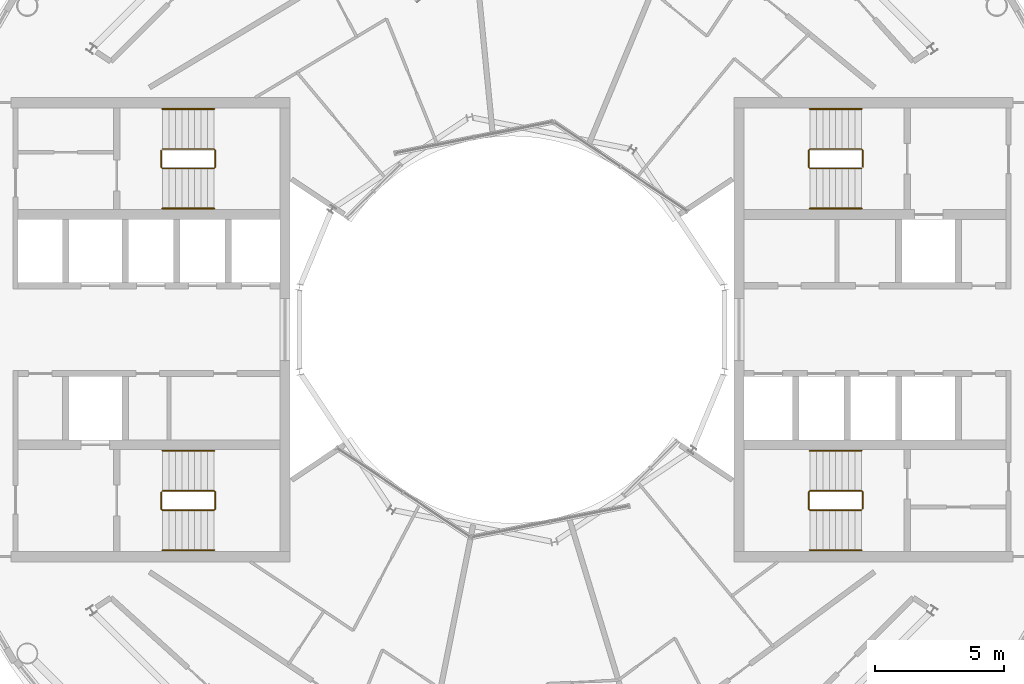
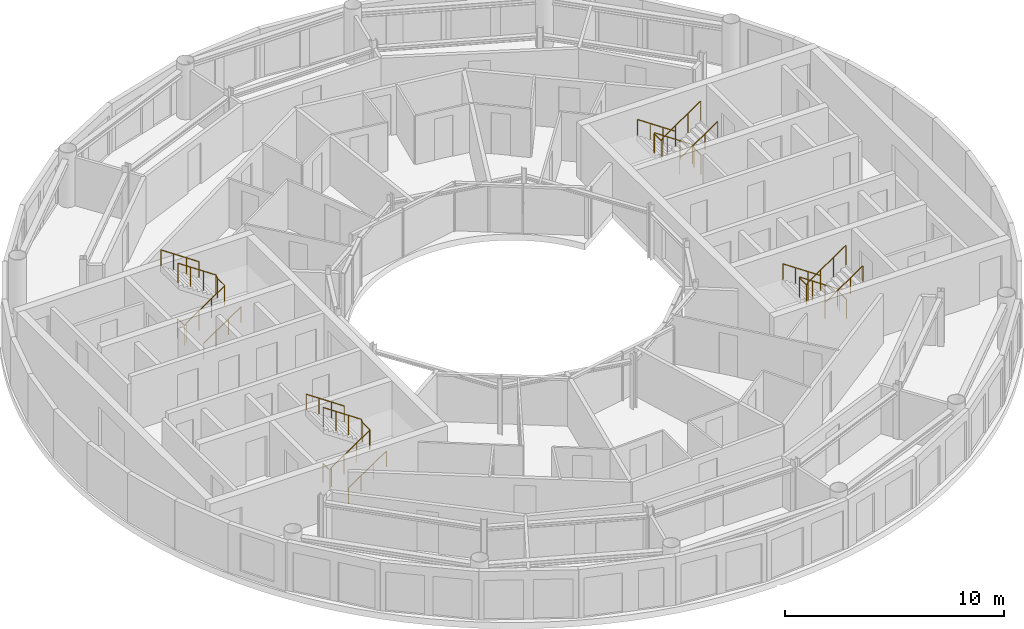
# One storey, part 17 of 17: 12 railings.
"""IFC4 building model written with IfcOpenShell, lengths in metres."""

from ifc_helpers import new_model, si_unit, direction, frame, origin, origin_2d, place, context, subcontext, project, spatial, circle, extrude, material, type_object, element, save


model = new_model("IFC4")

# Units and contexts
model_context = context("Model", 3, precision=1e-05, world=origin(), true_north=direction((0.0, 1.0)))
body_context = subcontext(model_context, "Body", "Model", "MODEL_VIEW")
ifc_project = project(units=[si_unit("LENGTHUNIT", "METRE"), si_unit("AREAUNIT", "SQUARE_METRE"), si_unit("VOLUMEUNIT", "CUBIC_METRE"), si_unit("PLANEANGLEUNIT", "RADIAN"), si_unit("MASSUNIT", "GRAM", prefix="KILO")], contexts=[model_context])

# Site, building, storey
site_placement = place(None, origin())
site = spatial("IfcSite", under=ifc_project, at=site_placement, CompositionType="ELEMENT")
building_placement = place(site_placement, origin())
building = spatial("IfcBuilding", under=site, at=building_placement, Name="Maasbend Ring Residences", CompositionType="ELEMENT")
storey_placement = place(building_placement, frame((0.0, 0.0, 249.300048828125)))
storey = spatial("IfcBuildingStorey", under=building, at=storey_placement, Name="L72", CompositionType="ELEMENT", Elevation=249.300048828125)

# Railings
ifc_material_1 = material(Name="Stainless steel 316", Category="steel")
railing_type_1 = type_object("IfcRailingType", Name="STAIR GUARD 1100", PredefinedType="GUARDRAIL", material=ifc_material_1)
railing_1_placement = place(storey_placement, frame((13.60009765625, 6.300048828125, 0.0)))
element("IfcRailing", 1, at=railing_1_placement, inside=storey, type_object=railing_type_1, Name="L72 ST-E1 stair guard 1", PredefinedType="GUARDRAIL", context=body_context, shape_type="SweptSolid", body=[
    extrude(circle(Radius=0.02392578125, at=origin_2d()), frame((0.0, 0.0, 1.076171875), z_axis=(0.0, 1.0, 0.0), x_axis=(-1.0, 0.0, 0.0)), (0.0, 0.0, 1.0), 0.64990234375),
    extrude(circle(Radius=0.02392578125, at=origin_2d()), frame((0.0, 0.64990234375, 1.076171875), z_axis=(-0.272562526181, 0.272562526181, 0.92272386912), x_axis=(-0.707106781187, -0.707106781187, 0.0)), (0.0, 0.0, 1.0), 0.18359375),
    extrude(circle(Radius=0.02392578125, at=origin_2d()), frame((-0.050048828125, 0.699951171875, 1.24560546875), z_axis=(-0.827797584762, 0.0, 0.561026878735), x_axis=(0.0, -1.0, 0.0)), (0.0, 0.0, 1.0), 2.416015625),
    extrude(circle(Radius=0.02392578125, at=origin_2d()), frame((-2.050048828125, 0.699951171875, 2.60107421875), z_axis=(-0.707106781187, -0.707106781187, 0.0), x_axis=(0.707106781187, -0.707106781187, 0.0)), (0.0, 0.0, 1.0), 0.07080078125),
    extrude(circle(Radius=0.02392578125, at=origin_2d()), frame((-2.10009765625, 0.64990234375, 2.60107421875), z_axis=(0.0, -1.0, 0.0), x_axis=(1.0, 0.0, 0.0)), (0.0, 0.0, 1.0), 0.64990234375),
    extrude(circle(Radius=0.02392578125, at=origin_2d()), frame((-2.10009765625, 0.0, 2.60107421875), z_axis=(0.272562526181, -0.272562526181, 0.92272386912), x_axis=(0.707106781187, 0.707106781187, 0.0)), (0.0, 0.0, 1.0), 0.18359375),
    extrude(circle(Radius=0.02392578125, at=origin_2d()), frame((-2.050048828125, -0.050048828125, 2.7705078125), z_axis=(0.827750655447, 0.0, 0.561096116906), x_axis=(0.0, 1.0, 0.0)), (0.0, 0.0, 1.0), 2.416259765625),
    extrude(circle(Radius=0.02099609375, at=origin_2d()), origin(), (0.0, 0.0, 1.0), 1.052001953125),
    extrude(circle(Radius=0.02099609375, at=origin_2d()), frame((0.0, 0.64990234375, 0.0)), (0.0, 0.0, 1.0), 1.052001953125),
    extrude(circle(Radius=0.02099609375, at=origin_2d()), frame((-0.050048828125, 0.699951171875, 0.16943359375)), (0.0, 0.0, 1.0), 1.052001953125),
    extrude(circle(Radius=0.02099609375, at=origin_2d()), frame((-0.716796875, 0.699951171875, 0.621337890625)), (0.0, 0.0, 1.0), 1.052001953125),
    extrude(circle(Radius=0.02099609375, at=origin_2d()), frame((-1.38330078125, 0.699951171875, 1.072998046875)), (0.0, 0.0, 1.0), 1.052001953125),
    extrude(circle(Radius=0.02099609375, at=origin_2d()), frame((-2.050048828125, 0.699951171875, 1.52490234375)), (0.0, 0.0, 1.0), 1.052001953125),
    extrude(circle(Radius=0.02099609375, at=origin_2d()), frame((-2.10009765625, 0.64990234375, 1.52490234375)), (0.0, 0.0, 1.0), 1.052001953125),
    extrude(circle(Radius=0.02099609375, at=origin_2d()), frame((-2.10009765625, 0.0, 1.52490234375)), (0.0, 0.0, 1.0), 1.052001953125),
    extrude(circle(Radius=0.02099609375, at=origin_2d()), frame((-2.050048828125, -0.050048828125, 1.6943359375)), (0.0, 0.0, 1.0), 1.052001953125),
    extrude(circle(Radius=0.02099609375, at=origin_2d()), frame((-1.38330078125, -0.050048828125, 2.146240234375)), (0.0, 0.0, 1.0), 1.052001953125),
    extrude(circle(Radius=0.02099609375, at=origin_2d()), frame((-0.716796875, -0.050048828125, 2.59814453125)), (0.0, 0.0, 1.0), 1.052001953125),
    extrude(circle(Radius=0.02099609375, at=origin_2d()), frame((-0.050048828125, -0.050048828125, 3.050048828125)), (0.0, 0.0, 1.0), 1.052001953125),
])
railing_2_placement = place(storey_placement, frame((13.60009765625, -6.949951171875, 0.0)))
element("IfcRailing", 2, at=railing_2_placement, inside=storey, type_object=railing_type_1, Name="L72 ST-E2 stair guard 1", PredefinedType="GUARDRAIL", context=body_context, shape_type="SweptSolid", body=[
    extrude(circle(Radius=0.02392578125, at=origin_2d()), frame((0.0, 0.0, 1.076171875), z_axis=(0.0, 1.0, 0.0), x_axis=(-1.0, 0.0, 0.0)), (0.0, 0.0, 1.0), 0.64990234375),
    extrude(circle(Radius=0.02392578125, at=origin_2d()), frame((0.0, 0.64990234375, 1.076171875), z_axis=(-0.272562526181, 0.272562526181, 0.92272386912), x_axis=(-0.707106781187, -0.707106781187, 0.0)), (0.0, 0.0, 1.0), 0.18359375),
    extrude(circle(Radius=0.02392578125, at=origin_2d()), frame((-0.050048828125, 0.699951171875, 1.24560546875), z_axis=(-0.827797584762, 0.0, 0.561026878735), x_axis=(0.0, -1.0, 0.0)), (0.0, 0.0, 1.0), 2.416015625),
    extrude(circle(Radius=0.02392578125, at=origin_2d()), frame((-2.050048828125, 0.699951171875, 2.60107421875), z_axis=(-0.707106781187, -0.707106781187, 0.0), x_axis=(0.707106781187, -0.707106781187, 0.0)), (0.0, 0.0, 1.0), 0.07080078125),
    extrude(circle(Radius=0.02392578125, at=origin_2d()), frame((-2.10009765625, 0.64990234375, 2.60107421875), z_axis=(0.0, -1.0, 0.0), x_axis=(1.0, 0.0, 0.0)), (0.0, 0.0, 1.0), 0.64990234375),
    extrude(circle(Radius=0.02392578125, at=origin_2d()), frame((-2.10009765625, 0.0, 2.60107421875), z_axis=(0.272562526181, -0.272562526181, 0.92272386912), x_axis=(0.707106781187, 0.707106781187, 0.0)), (0.0, 0.0, 1.0), 0.18359375),
    extrude(circle(Radius=0.02392578125, at=origin_2d()), frame((-2.050048828125, -0.050048828125, 2.7705078125), z_axis=(0.827750655447, 0.0, 0.561096116906), x_axis=(0.0, 1.0, 0.0)), (0.0, 0.0, 1.0), 2.416259765625),
    extrude(circle(Radius=0.02099609375, at=origin_2d()), origin(), (0.0, 0.0, 1.0), 1.052001953125),
    extrude(circle(Radius=0.02099609375, at=origin_2d()), frame((0.0, 0.64990234375, 0.0)), (0.0, 0.0, 1.0), 1.052001953125),
    extrude(circle(Radius=0.02099609375, at=origin_2d()), frame((-0.050048828125, 0.699951171875, 0.16943359375)), (0.0, 0.0, 1.0), 1.052001953125),
    extrude(circle(Radius=0.02099609375, at=origin_2d()), frame((-0.716796875, 0.699951171875, 0.621337890625)), (0.0, 0.0, 1.0), 1.052001953125),
    extrude(circle(Radius=0.02099609375, at=origin_2d()), frame((-1.38330078125, 0.699951171875, 1.072998046875)), (0.0, 0.0, 1.0), 1.052001953125),
    extrude(circle(Radius=0.02099609375, at=origin_2d()), frame((-2.050048828125, 0.699951171875, 1.52490234375)), (0.0, 0.0, 1.0), 1.052001953125),
    extrude(circle(Radius=0.02099609375, at=origin_2d()), frame((-2.10009765625, 0.64990234375, 1.52490234375)), (0.0, 0.0, 1.0), 1.052001953125),
    extrude(circle(Radius=0.02099609375, at=origin_2d()), frame((-2.10009765625, 0.0, 1.52490234375)), (0.0, 0.0, 1.0), 1.052001953125),
    extrude(circle(Radius=0.02099609375, at=origin_2d()), frame((-2.050048828125, -0.050048828125, 1.6943359375)), (0.0, 0.0, 1.0), 1.052001953125),
    extrude(circle(Radius=0.02099609375, at=origin_2d()), frame((-1.38330078125, -0.050048828125, 2.146240234375)), (0.0, 0.0, 1.0), 1.052001953125),
    extrude(circle(Radius=0.02099609375, at=origin_2d()), frame((-0.716796875, -0.050048828125, 2.59814453125)), (0.0, 0.0, 1.0), 1.052001953125),
    extrude(circle(Radius=0.02099609375, at=origin_2d()), frame((-0.050048828125, -0.050048828125, 3.050048828125)), (0.0, 0.0, 1.0), 1.052001953125),
])
railing_3_placement = place(storey_placement, frame((-13.60009765625, -6.300048828125, 0.0)))
element("IfcRailing", 3, at=railing_3_placement, inside=storey, type_object=railing_type_1, Name="L72 ST-W1 stair guard 1", PredefinedType="GUARDRAIL", context=body_context, shape_type="SweptSolid", body=[
    extrude(circle(Radius=0.02392578125, at=origin_2d()), frame((0.0, 0.0, 1.076171875), z_axis=(0.0, -1.0, 0.0), x_axis=(1.0, 0.0, 0.0)), (0.0, 0.0, 1.0), 0.64990234375),
    extrude(circle(Radius=0.02392578125, at=origin_2d()), frame((0.0, -0.64990234375, 1.076171875), z_axis=(0.272562526181, -0.272562526181, 0.92272386912), x_axis=(0.707106781187, 0.707106781187, 0.0)), (0.0, 0.0, 1.0), 0.18359375),
    extrude(circle(Radius=0.02392578125, at=origin_2d()), frame((0.050048828125, -0.699951171875, 1.24560546875), z_axis=(0.827797584762, 0.0, 0.561026878735), x_axis=(0.0, 1.0, 0.0)), (0.0, 0.0, 1.0), 2.416015625),
    extrude(circle(Radius=0.02392578125, at=origin_2d()), frame((2.050048828125, -0.699951171875, 2.60107421875), z_axis=(0.707106781187, 0.707106781187, 0.0), x_axis=(-0.707106781187, 0.707106781187, 0.0)), (0.0, 0.0, 1.0), 0.07080078125),
    extrude(circle(Radius=0.02392578125, at=origin_2d()), frame((2.10009765625, -0.64990234375, 2.60107421875), z_axis=(0.0, 1.0, 0.0), x_axis=(-1.0, 0.0, 0.0)), (0.0, 0.0, 1.0), 0.64990234375),
    extrude(circle(Radius=0.02392578125, at=origin_2d()), frame((2.10009765625, 0.0, 2.60107421875), z_axis=(-0.272562526181, 0.272562526181, 0.92272386912), x_axis=(-0.707106781187, -0.707106781187, 0.0)), (0.0, 0.0, 1.0), 0.18359375),
    extrude(circle(Radius=0.02392578125, at=origin_2d()), frame((2.050048828125, 0.050048828125, 2.7705078125), z_axis=(-0.827750655447, 0.0, 0.561096116906), x_axis=(0.0, -1.0, 0.0)), (0.0, 0.0, 1.0), 2.416259765625),
    extrude(circle(Radius=0.02099609375, at=origin_2d()), origin(), (0.0, 0.0, 1.0), 1.052001953125),
    extrude(circle(Radius=0.02099609375, at=origin_2d()), frame((0.0, -0.64990234375, 0.0)), (0.0, 0.0, 1.0), 1.052001953125),
    extrude(circle(Radius=0.02099609375, at=origin_2d()), frame((0.050048828125, -0.699951171875, 0.16943359375)), (0.0, 0.0, 1.0), 1.052001953125),
    extrude(circle(Radius=0.02099609375, at=origin_2d()), frame((0.716796875, -0.699951171875, 0.621337890625)), (0.0, 0.0, 1.0), 1.052001953125),
    extrude(circle(Radius=0.02099609375, at=origin_2d()), frame((1.38330078125, -0.699951171875, 1.072998046875)), (0.0, 0.0, 1.0), 1.052001953125),
    extrude(circle(Radius=0.02099609375, at=origin_2d()), frame((2.050048828125, -0.699951171875, 1.52490234375)), (0.0, 0.0, 1.0), 1.052001953125),
    extrude(circle(Radius=0.02099609375, at=origin_2d()), frame((2.10009765625, -0.64990234375, 1.52490234375)), (0.0, 0.0, 1.0), 1.052001953125),
    extrude(circle(Radius=0.02099609375, at=origin_2d()), frame((2.10009765625, 0.0, 1.52490234375)), (0.0, 0.0, 1.0), 1.052001953125),
    extrude(circle(Radius=0.02099609375, at=origin_2d()), frame((2.050048828125, 0.050048828125, 1.6943359375)), (0.0, 0.0, 1.0), 1.052001953125),
    extrude(circle(Radius=0.02099609375, at=origin_2d()), frame((1.38330078125, 0.050048828125, 2.146240234375)), (0.0, 0.0, 1.0), 1.052001953125),
    extrude(circle(Radius=0.02099609375, at=origin_2d()), frame((0.716796875, 0.050048828125, 2.59814453125)), (0.0, 0.0, 1.0), 1.052001953125),
    extrude(circle(Radius=0.02099609375, at=origin_2d()), frame((0.050048828125, 0.050048828125, 3.050048828125)), (0.0, 0.0, 1.0), 1.052001953125),
])
railing_4_placement = place(storey_placement, frame((-13.60009765625, 6.949951171875, 0.0)))
element("IfcRailing", 4, at=railing_4_placement, inside=storey, type_object=railing_type_1, Name="L72 ST-W2 stair guard 1", PredefinedType="GUARDRAIL", context=body_context, shape_type="SweptSolid", body=[
    extrude(circle(Radius=0.02392578125, at=origin_2d()), frame((0.0, 0.0, 1.076171875), z_axis=(0.0, -1.0, 0.0), x_axis=(1.0, 0.0, 0.0)), (0.0, 0.0, 1.0), 0.64990234375),
    extrude(circle(Radius=0.02392578125, at=origin_2d()), frame((0.0, -0.64990234375, 1.076171875), z_axis=(0.272562526181, -0.272562526181, 0.92272386912), x_axis=(0.707106781187, 0.707106781187, 0.0)), (0.0, 0.0, 1.0), 0.18359375),
    extrude(circle(Radius=0.02392578125, at=origin_2d()), frame((0.050048828125, -0.699951171875, 1.24560546875), z_axis=(0.827797584762, 0.0, 0.561026878735), x_axis=(0.0, 1.0, 0.0)), (0.0, 0.0, 1.0), 2.416015625),
    extrude(circle(Radius=0.02392578125, at=origin_2d()), frame((2.050048828125, -0.699951171875, 2.60107421875), z_axis=(0.707106781187, 0.707106781187, 0.0), x_axis=(-0.707106781187, 0.707106781187, 0.0)), (0.0, 0.0, 1.0), 0.07080078125),
    extrude(circle(Radius=0.02392578125, at=origin_2d()), frame((2.10009765625, -0.64990234375, 2.60107421875), z_axis=(0.0, 1.0, 0.0), x_axis=(-1.0, 0.0, 0.0)), (0.0, 0.0, 1.0), 0.64990234375),
    extrude(circle(Radius=0.02392578125, at=origin_2d()), frame((2.10009765625, 0.0, 2.60107421875), z_axis=(-0.272562526181, 0.272562526181, 0.92272386912), x_axis=(-0.707106781187, -0.707106781187, 0.0)), (0.0, 0.0, 1.0), 0.18359375),
    extrude(circle(Radius=0.02392578125, at=origin_2d()), frame((2.050048828125, 0.050048828125, 2.7705078125), z_axis=(-0.827750655447, 0.0, 0.561096116906), x_axis=(0.0, -1.0, 0.0)), (0.0, 0.0, 1.0), 2.416259765625),
    extrude(circle(Radius=0.02099609375, at=origin_2d()), origin(), (0.0, 0.0, 1.0), 1.052001953125),
    extrude(circle(Radius=0.02099609375, at=origin_2d()), frame((0.0, -0.64990234375, 0.0)), (0.0, 0.0, 1.0), 1.052001953125),
    extrude(circle(Radius=0.02099609375, at=origin_2d()), frame((0.050048828125, -0.699951171875, 0.16943359375)), (0.0, 0.0, 1.0), 1.052001953125),
    extrude(circle(Radius=0.02099609375, at=origin_2d()), frame((0.716796875, -0.699951171875, 0.621337890625)), (0.0, 0.0, 1.0), 1.052001953125),
    extrude(circle(Radius=0.02099609375, at=origin_2d()), frame((1.38330078125, -0.699951171875, 1.072998046875)), (0.0, 0.0, 1.0), 1.052001953125),
    extrude(circle(Radius=0.02099609375, at=origin_2d()), frame((2.050048828125, -0.699951171875, 1.52490234375)), (0.0, 0.0, 1.0), 1.052001953125),
    extrude(circle(Radius=0.02099609375, at=origin_2d()), frame((2.10009765625, -0.64990234375, 1.52490234375)), (0.0, 0.0, 1.0), 1.052001953125),
    extrude(circle(Radius=0.02099609375, at=origin_2d()), frame((2.10009765625, 0.0, 1.52490234375)), (0.0, 0.0, 1.0), 1.052001953125),
    extrude(circle(Radius=0.02099609375, at=origin_2d()), frame((2.050048828125, 0.050048828125, 1.6943359375)), (0.0, 0.0, 1.0), 1.052001953125),
    extrude(circle(Radius=0.02099609375, at=origin_2d()), frame((1.38330078125, 0.050048828125, 2.146240234375)), (0.0, 0.0, 1.0), 1.052001953125),
    extrude(circle(Radius=0.02099609375, at=origin_2d()), frame((0.716796875, 0.050048828125, 2.59814453125)), (0.0, 0.0, 1.0), 1.052001953125),
    extrude(circle(Radius=0.02099609375, at=origin_2d()), frame((0.050048828125, 0.050048828125, 3.050048828125)), (0.0, 0.0, 1.0), 1.052001953125),
])
ifc_material_2 = material(Name="Stainless steel 316", Category="steel")
railing_type_2 = type_object("IfcRailingType", Name="STAIR HANDRAIL 900", PredefinedType="HANDRAIL", material=ifc_material_2)
railing_5_placement = place(storey_placement, frame((13.550048828125, 8.550048828125, 0.16943359375)))
element("IfcRailing", 5, at=railing_5_placement, inside=storey, type_object=railing_type_2, Name="L72 ST-E1 stair handrail 1", PredefinedType="HANDRAIL", context=body_context, shape_type="SweptSolid", body=[
    extrude(circle(Radius=0.02392578125, at=origin_2d()), frame((0.0, 0.0, 0.8759765625), z_axis=(-0.827797584762, 0.0, 0.561026878735), x_axis=(0.0, -1.0, 0.0)), (0.0, 0.0, 1.0), 2.416015625),
    extrude(circle(Radius=0.02099609375, at=origin_2d()), origin(), (0.0, 0.0, 1.0), 0.851806640625),
    extrude(circle(Radius=0.02099609375, at=origin_2d()), frame((-0.666748046875, 0.0, 0.451904296875)), (0.0, 0.0, 1.0), 0.851806640625),
    extrude(circle(Radius=0.02099609375, at=origin_2d()), frame((-1.333251953125, 0.0, 0.903564453125)), (0.0, 0.0, 1.0), 0.851806640625),
    extrude(circle(Radius=0.02099609375, at=origin_2d()), frame((-2.0, 0.0, 1.35546875)), (0.0, 0.0, 1.0), 0.851806640625),
])
railing_6_placement = place(storey_placement, frame((11.550048828125, 4.699951171875, 1.6943359375)))
element("IfcRailing", 6, at=railing_6_placement, inside=storey, type_object=railing_type_2, Name="L72 ST-E1 stair handrail 2", PredefinedType="HANDRAIL", context=body_context, shape_type="SweptSolid", body=[
    extrude(circle(Radius=0.02392578125, at=origin_2d()), frame((0.0, 0.0, 0.8759765625), z_axis=(0.827750655447, 0.0, 0.561096116906), x_axis=(0.0, 1.0, 0.0)), (0.0, 0.0, 1.0), 2.416259765625),
    extrude(circle(Radius=0.02099609375, at=origin_2d()), origin(), (0.0, 0.0, 1.0), 0.851806640625),
    extrude(circle(Radius=0.02099609375, at=origin_2d()), frame((0.666748046875, 0.0, 0.451904296875)), (0.0, 0.0, 1.0), 0.851806640625),
    extrude(circle(Radius=0.02099609375, at=origin_2d()), frame((1.333251953125, 0.0, 0.90380859375)), (0.0, 0.0, 1.0), 0.851806640625),
    extrude(circle(Radius=0.02099609375, at=origin_2d()), frame((2.0, 0.0, 1.355712890625)), (0.0, 0.0, 1.0), 0.851806640625),
])
railing_7_placement = place(storey_placement, frame((13.550048828125, -4.699951171875, 0.16943359375)))
element("IfcRailing", 7, at=railing_7_placement, inside=storey, type_object=railing_type_2, Name="L72 ST-E2 stair handrail 1", PredefinedType="HANDRAIL", context=body_context, shape_type="SweptSolid", body=[
    extrude(circle(Radius=0.02392578125, at=origin_2d()), frame((0.0, 0.0, 0.8759765625), z_axis=(-0.827797584762, 0.0, 0.561026878735), x_axis=(0.0, -1.0, 0.0)), (0.0, 0.0, 1.0), 2.416015625),
    extrude(circle(Radius=0.02099609375, at=origin_2d()), origin(), (0.0, 0.0, 1.0), 0.851806640625),
    extrude(circle(Radius=0.02099609375, at=origin_2d()), frame((-0.666748046875, 0.0, 0.451904296875)), (0.0, 0.0, 1.0), 0.851806640625),
    extrude(circle(Radius=0.02099609375, at=origin_2d()), frame((-1.333251953125, 0.0, 0.903564453125)), (0.0, 0.0, 1.0), 0.851806640625),
    extrude(circle(Radius=0.02099609375, at=origin_2d()), frame((-2.0, 0.0, 1.35546875)), (0.0, 0.0, 1.0), 0.851806640625),
])
railing_8_placement = place(storey_placement, frame((11.550048828125, -8.550048828125, 1.6943359375)))
element("IfcRailing", 8, at=railing_8_placement, inside=storey, type_object=railing_type_2, Name="L72 ST-E2 stair handrail 2", PredefinedType="HANDRAIL", context=body_context, shape_type="SweptSolid", body=[
    extrude(circle(Radius=0.02392578125, at=origin_2d()), frame((0.0, 0.0, 0.8759765625), z_axis=(0.827750655447, 0.0, 0.561096116906), x_axis=(0.0, 1.0, 0.0)), (0.0, 0.0, 1.0), 2.416259765625),
    extrude(circle(Radius=0.02099609375, at=origin_2d()), origin(), (0.0, 0.0, 1.0), 0.851806640625),
    extrude(circle(Radius=0.02099609375, at=origin_2d()), frame((0.666748046875, 0.0, 0.451904296875)), (0.0, 0.0, 1.0), 0.851806640625),
    extrude(circle(Radius=0.02099609375, at=origin_2d()), frame((1.333251953125, 0.0, 0.90380859375)), (0.0, 0.0, 1.0), 0.851806640625),
    extrude(circle(Radius=0.02099609375, at=origin_2d()), frame((2.0, 0.0, 1.355712890625)), (0.0, 0.0, 1.0), 0.851806640625),
])
railing_9_placement = place(storey_placement, frame((-13.550048828125, -8.550048828125, 0.16943359375)))
element("IfcRailing", 9, at=railing_9_placement, inside=storey, type_object=railing_type_2, Name="L72 ST-W1 stair handrail 1", PredefinedType="HANDRAIL", context=body_context, shape_type="SweptSolid", body=[
    extrude(circle(Radius=0.02392578125, at=origin_2d()), frame((0.0, 0.0, 0.8759765625), z_axis=(0.827797584762, 0.0, 0.561026878735), x_axis=(0.0, 1.0, 0.0)), (0.0, 0.0, 1.0), 2.416015625),
    extrude(circle(Radius=0.02099609375, at=origin_2d()), origin(), (0.0, 0.0, 1.0), 0.851806640625),
    extrude(circle(Radius=0.02099609375, at=origin_2d()), frame((0.666748046875, 0.0, 0.451904296875)), (0.0, 0.0, 1.0), 0.851806640625),
    extrude(circle(Radius=0.02099609375, at=origin_2d()), frame((1.333251953125, 0.0, 0.903564453125)), (0.0, 0.0, 1.0), 0.851806640625),
    extrude(circle(Radius=0.02099609375, at=origin_2d()), frame((2.0, 0.0, 1.35546875)), (0.0, 0.0, 1.0), 0.851806640625),
])
railing_10_placement = place(storey_placement, frame((-11.550048828125, -4.699951171875, 1.6943359375)))
element("IfcRailing", 10, at=railing_10_placement, inside=storey, type_object=railing_type_2, Name="L72 ST-W1 stair handrail 2", PredefinedType="HANDRAIL", context=body_context, shape_type="SweptSolid", body=[
    extrude(circle(Radius=0.02392578125, at=origin_2d()), frame((0.0, 0.0, 0.8759765625), z_axis=(-0.827750655447, 0.0, 0.561096116906), x_axis=(0.0, -1.0, 0.0)), (0.0, 0.0, 1.0), 2.416259765625),
    extrude(circle(Radius=0.02099609375, at=origin_2d()), origin(), (0.0, 0.0, 1.0), 0.851806640625),
    extrude(circle(Radius=0.02099609375, at=origin_2d()), frame((-0.666748046875, 0.0, 0.451904296875)), (0.0, 0.0, 1.0), 0.851806640625),
    extrude(circle(Radius=0.02099609375, at=origin_2d()), frame((-1.333251953125, 0.0, 0.90380859375)), (0.0, 0.0, 1.0), 0.851806640625),
    extrude(circle(Radius=0.02099609375, at=origin_2d()), frame((-2.0, 0.0, 1.355712890625)), (0.0, 0.0, 1.0), 0.851806640625),
])
railing_11_placement = place(storey_placement, frame((-13.550048828125, 4.699951171875, 0.16943359375)))
element("IfcRailing", 11, at=railing_11_placement, inside=storey, type_object=railing_type_2, Name="L72 ST-W2 stair handrail 1", PredefinedType="HANDRAIL", context=body_context, shape_type="SweptSolid", body=[
    extrude(circle(Radius=0.02392578125, at=origin_2d()), frame((0.0, 0.0, 0.8759765625), z_axis=(0.827797584762, 0.0, 0.561026878735), x_axis=(0.0, 1.0, 0.0)), (0.0, 0.0, 1.0), 2.416015625),
    extrude(circle(Radius=0.02099609375, at=origin_2d()), origin(), (0.0, 0.0, 1.0), 0.851806640625),
    extrude(circle(Radius=0.02099609375, at=origin_2d()), frame((0.666748046875, 0.0, 0.451904296875)), (0.0, 0.0, 1.0), 0.851806640625),
    extrude(circle(Radius=0.02099609375, at=origin_2d()), frame((1.333251953125, 0.0, 0.903564453125)), (0.0, 0.0, 1.0), 0.851806640625),
    extrude(circle(Radius=0.02099609375, at=origin_2d()), frame((2.0, 0.0, 1.35546875)), (0.0, 0.0, 1.0), 0.851806640625),
])
railing_12_placement = place(storey_placement, frame((-11.550048828125, 8.550048828125, 1.6943359375)))
element("IfcRailing", 12, at=railing_12_placement, inside=storey, type_object=railing_type_2, Name="L72 ST-W2 stair handrail 2", PredefinedType="HANDRAIL", context=body_context, shape_type="SweptSolid", body=[
    extrude(circle(Radius=0.02392578125, at=origin_2d()), frame((0.0, 0.0, 0.8759765625), z_axis=(-0.827750655447, 0.0, 0.561096116906), x_axis=(0.0, -1.0, 0.0)), (0.0, 0.0, 1.0), 2.416259765625),
    extrude(circle(Radius=0.02099609375, at=origin_2d()), origin(), (0.0, 0.0, 1.0), 0.851806640625),
    extrude(circle(Radius=0.02099609375, at=origin_2d()), frame((-0.666748046875, 0.0, 0.451904296875)), (0.0, 0.0, 1.0), 0.851806640625),
    extrude(circle(Radius=0.02099609375, at=origin_2d()), frame((-1.333251953125, 0.0, 0.90380859375)), (0.0, 0.0, 1.0), 0.851806640625),
    extrude(circle(Radius=0.02099609375, at=origin_2d()), frame((-2.0, 0.0, 1.355712890625)), (0.0, 0.0, 1.0), 0.851806640625),
])

save(model, "model.ifc")
